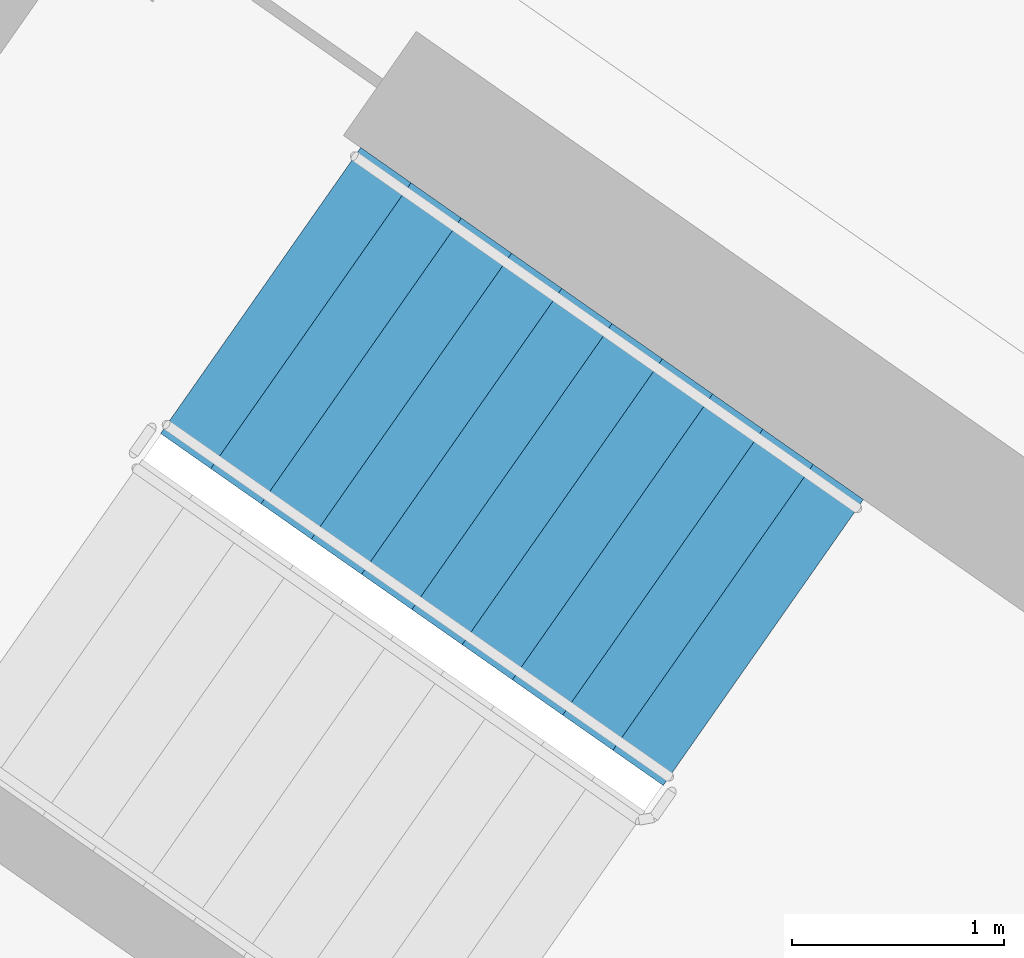
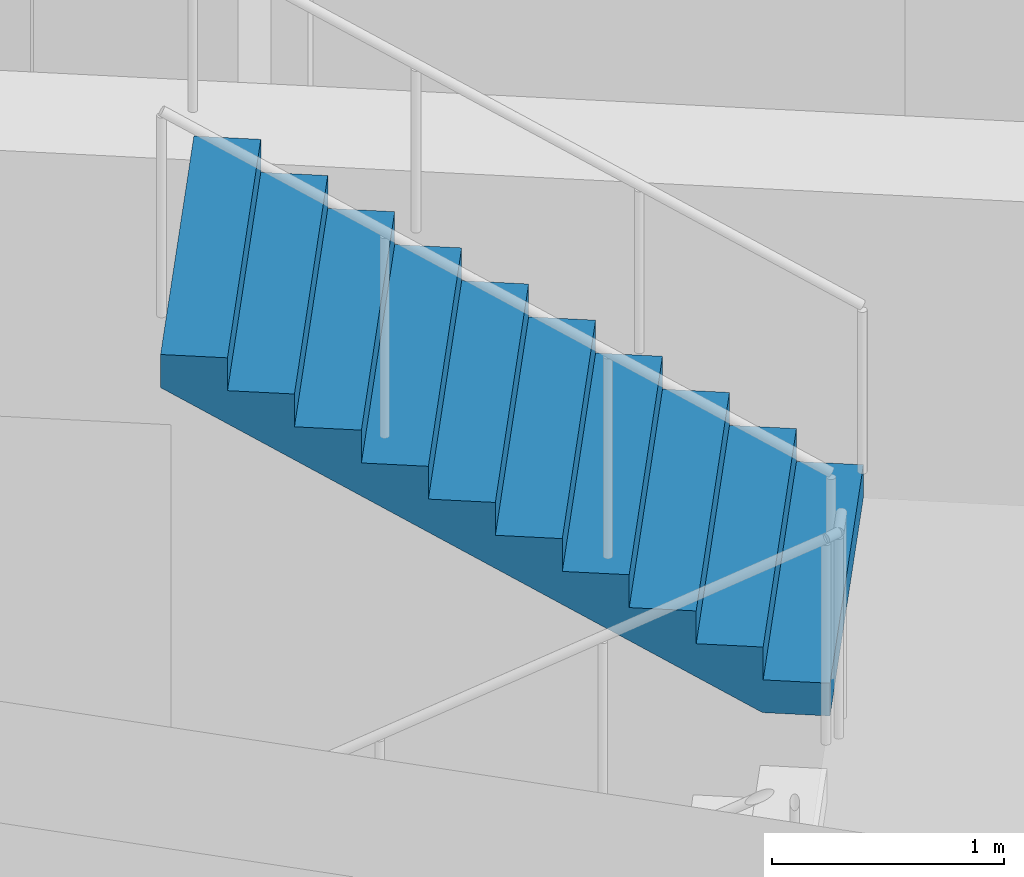
# One storey, part 13 of 28: 1 stair flight, 1 element without a shape of its own.
"""IFC4 building model written with IfcOpenShell, lengths in metres."""

from ifc_helpers import new_model, si_unit, direction, frame, origin, place, context, subcontext, project, spatial, faceted_brep, material, type_object, element, aggregate, save


model = new_model("IFC4")

# Units and contexts
model_context = context("Model", 3, precision=1e-05, world=origin(), true_north=direction((0.0, 1.0)))
body_context = subcontext(model_context, "Body", "Model", "MODEL_VIEW")
ifc_project = project(units=[si_unit("LENGTHUNIT", "METRE"), si_unit("AREAUNIT", "SQUARE_METRE"), si_unit("VOLUMEUNIT", "CUBIC_METRE"), si_unit("PLANEANGLEUNIT", "RADIAN"), si_unit("MASSUNIT", "GRAM", prefix="KILO")], contexts=[model_context])

# Site, building, storey
site_placement = place(None, origin())
site = spatial("IfcSite", under=ifc_project, at=site_placement, CompositionType="ELEMENT")
building_placement = place(site_placement, origin())
building = spatial("IfcBuilding", under=site, at=building_placement, Name="Qamariyya Broadcast Tower", CompositionType="ELEMENT")
storey_placement = place(building_placement, frame((0.0, 0.0, 277.10009765625)))
storey = spatial("IfcBuildingStorey", under=building, at=storey_placement, Name="L67", CompositionType="ELEMENT", Elevation=277.10009765625)

# Stair, stair flight
ifc_material = material(Name="Concrete C50/60", Category="concrete")
stair_type = type_object("IfcStairType", Name="Exit stair 22 risers of 173 mm", PredefinedType="HALF_TURN_STAIR", material=ifc_material)
stair_placement = place(storey_placement, origin())
stair = element("IfcStair", 1, at=stair_placement, inside=storey, type_object=stair_type, Name="L67 Stair W2", PredefinedType="HALF_TURN_STAIR")
stair_flight_type = type_object("IfcStairFlightType", Name="Exit stair flight 11 risers of 173 mm", PredefinedType="STRAIGHT", material=ifc_material)
stair_flight_placement = place(storey_placement, frame((-38.18310546875, -49.3486328125, 1.89990234375), z_axis=(0.0, 0.0, 1.0), x_axis=(-0.819152044289, 0.573576436351, 0.0)))
stair_flight = element("IfcStairFlight", 2, at=stair_flight_placement, type_object=stair_flight_type, Name="ST-W2 flight 2", NumberOfRisers=11, NumberOfTreads=10, PredefinedType="STRAIGHT", RiserHeight=0.172727273, TreadLength=0.29, context=body_context, shape_type="Brep", body=[
    faceted_brep([(0.0, 0.824951171875, 0.0), (0.0, 0.824951171875, 0.172607421875), (0.2900390625, 0.824951171875, 0.172607421875), (0.2900390625, 0.824951171875, 0.345458984375), (0.580078125, 0.824951171875, 0.345458984375), (0.580078125, 0.824951171875, 0.51806640625), (0.8701171875, 0.824951171875, 0.51806640625), (0.8701171875, 0.824951171875, 0.69091796875), (1.159912109375, 0.824951171875, 0.69091796875), (1.159912109375, 0.824951171875, 0.863525390625), (1.449951171875, 0.824951171875, 0.863525390625), (1.449951171875, 0.824951171875, 1.036376953125), (1.739990234375, 0.824951171875, 1.036376953125), (1.739990234375, 0.824951171875, 1.208984375), (2.030029296875, 0.824951171875, 1.208984375), (2.030029296875, 0.824951171875, 1.3818359375), (2.320068359375, 0.824951171875, 1.3818359375), (2.320068359375, 0.824951171875, 1.554443359375), (2.610107421875, 0.824951171875, 1.554443359375), (2.610107421875, 0.824951171875, 1.727294921875), (2.89990234375, 0.824951171875, 1.727294921875), (2.89990234375, 0.824951171875, 1.552734375), (0.29296875, 0.824951171875, 0.0), (0.29296875, -0.824951171875, 0.0), (2.89990234375, -0.824951171875, 1.552734375), (2.89990234375, -0.824951171875, 1.727294921875), (2.610107421875, -0.824951171875, 1.727294921875), (2.610107421875, -0.824951171875, 1.554443359375), (2.320068359375, -0.824951171875, 1.554443359375), (2.320068359375, -0.824951171875, 1.3818359375), (2.030029296875, -0.824951171875, 1.3818359375), (2.030029296875, -0.824951171875, 1.208984375), (1.739990234375, -0.824951171875, 1.208984375), (1.739990234375, -0.824951171875, 1.036376953125), (1.449951171875, -0.824951171875, 1.036376953125), (1.449951171875, -0.824951171875, 0.863525390625), (1.159912109375, -0.824951171875, 0.863525390625), (1.159912109375, -0.824951171875, 0.69091796875), (0.8701171875, -0.824951171875, 0.69091796875), (0.8701171875, -0.824951171875, 0.51806640625), (0.580078125, -0.824951171875, 0.51806640625), (0.580078125, -0.824951171875, 0.345458984375), (0.2900390625, -0.824951171875, 0.345458984375), (0.2900390625, -0.824951171875, 0.172607421875), (0.0, -0.824951171875, 0.172607421875), (0.0, -0.824951171875, 0.0), (0.0, 0.10009765625, 0.0), (0.0, 0.086669921875, 0.0), (0.0, 0.0732421875, 0.0), (0.0, 0.06005859375, 0.0), (0.0, 0.046630859375, 0.0), (0.0, 0.033447265625, 0.0), (0.0, 0.02001953125, 0.0), (0.0, 0.006591796875, 0.0), (0.0, -0.006591796875, 0.0), (0.0, -0.02001953125, 0.0), (0.0, -0.033447265625, 0.0), (0.0, -0.046630859375, 0.0), (0.0, -0.06005859375, 0.0), (0.0, -0.0732421875, 0.0), (0.0, -0.086669921875, 0.0), (0.0, -0.10009765625, 0.0), (0.0, -0.10009765625, 0.172607421875), (0.0, -0.086669921875, 0.172607421875), (0.0, -0.0732421875, 0.172607421875), (0.0, -0.06005859375, 0.172607421875), (0.0, -0.046630859375, 0.172607421875), (0.0, -0.033447265625, 0.172607421875), (0.0, -0.02001953125, 0.172607421875), (0.0, -0.006591796875, 0.172607421875), (0.0, 0.006591796875, 0.172607421875), (0.0, 0.02001953125, 0.172607421875), (0.0, 0.033447265625, 0.172607421875), (0.0, 0.046630859375, 0.172607421875), (0.0, 0.06005859375, 0.172607421875), (0.0, 0.0732421875, 0.172607421875), (0.0, 0.086669921875, 0.172607421875), (0.0, 0.10009765625, 0.172607421875), (0.2900390625, -0.10009765625, 0.172607421875), (0.2900390625, -0.086669921875, 0.172607421875), (0.2900390625, -0.0732421875, 0.172607421875), (0.2900390625, -0.06005859375, 0.172607421875), (0.2900390625, -0.046630859375, 0.172607421875), (0.2900390625, -0.033447265625, 0.172607421875), (0.2900390625, -0.02001953125, 0.172607421875), (0.2900390625, -0.006591796875, 0.172607421875), (0.2900390625, 0.006591796875, 0.172607421875), (0.2900390625, 0.02001953125, 0.172607421875), (0.2900390625, 0.033447265625, 0.172607421875), (0.2900390625, 0.046630859375, 0.172607421875), (0.2900390625, 0.06005859375, 0.172607421875), (0.2900390625, 0.0732421875, 0.172607421875), (0.2900390625, 0.086669921875, 0.172607421875), (0.2900390625, 0.10009765625, 0.172607421875), (0.2900390625, -0.10009765625, 0.345458984375), (0.2900390625, -0.086669921875, 0.345458984375), (0.2900390625, -0.0732421875, 0.345458984375), (0.2900390625, -0.06005859375, 0.345458984375), (0.2900390625, -0.046630859375, 0.345458984375), (0.2900390625, -0.033447265625, 0.345458984375), (0.2900390625, -0.02001953125, 0.345458984375), (0.2900390625, -0.006591796875, 0.345458984375), (0.2900390625, 0.006591796875, 0.345458984375), (0.2900390625, 0.02001953125, 0.345458984375), (0.2900390625, 0.033447265625, 0.345458984375), (0.2900390625, 0.046630859375, 0.345458984375), (0.2900390625, 0.06005859375, 0.345458984375), (0.2900390625, 0.0732421875, 0.345458984375), (0.2900390625, 0.086669921875, 0.345458984375), (0.2900390625, 0.10009765625, 0.345458984375), (0.580078125, -0.10009765625, 0.345458984375), (0.580078125, -0.086669921875, 0.345458984375), (0.580078125, -0.0732421875, 0.345458984375), (0.580078125, -0.06005859375, 0.345458984375), (0.580078125, -0.046630859375, 0.345458984375), (0.580078125, -0.033447265625, 0.345458984375), (0.580078125, -0.02001953125, 0.345458984375), (0.580078125, -0.006591796875, 0.345458984375), (0.580078125, 0.006591796875, 0.345458984375), (0.580078125, 0.02001953125, 0.345458984375), (0.580078125, 0.033447265625, 0.345458984375), (0.580078125, 0.046630859375, 0.345458984375), (0.580078125, 0.06005859375, 0.345458984375), (0.580078125, 0.0732421875, 0.345458984375), (0.580078125, 0.086669921875, 0.345458984375), (0.580078125, 0.10009765625, 0.345458984375), (0.580078125, -0.10009765625, 0.51806640625), (0.580078125, -0.086669921875, 0.51806640625), (0.580078125, -0.0732421875, 0.51806640625), (0.580078125, -0.06005859375, 0.51806640625), (0.580078125, -0.046630859375, 0.51806640625), (0.580078125, -0.033447265625, 0.51806640625), (0.580078125, -0.02001953125, 0.51806640625), (0.580078125, -0.006591796875, 0.51806640625), (0.580078125, 0.006591796875, 0.51806640625), (0.580078125, 0.02001953125, 0.51806640625), (0.580078125, 0.033447265625, 0.51806640625), (0.580078125, 0.046630859375, 0.51806640625), (0.580078125, 0.06005859375, 0.51806640625), (0.580078125, 0.0732421875, 0.51806640625), (0.580078125, 0.086669921875, 0.51806640625), (0.580078125, 0.10009765625, 0.51806640625), (0.8701171875, -0.10009765625, 0.51806640625), (0.8701171875, -0.086669921875, 0.51806640625), (0.8701171875, -0.0732421875, 0.51806640625), (0.8701171875, -0.06005859375, 0.51806640625), (0.8701171875, -0.046630859375, 0.51806640625), (0.8701171875, -0.033447265625, 0.51806640625), (0.8701171875, -0.02001953125, 0.51806640625), (0.8701171875, -0.006591796875, 0.51806640625), (0.8701171875, 0.006591796875, 0.51806640625), (0.8701171875, 0.02001953125, 0.51806640625), (0.8701171875, 0.033447265625, 0.51806640625), (0.8701171875, 0.046630859375, 0.51806640625), (0.8701171875, 0.06005859375, 0.51806640625), (0.8701171875, 0.0732421875, 0.51806640625), (0.8701171875, 0.086669921875, 0.51806640625), (0.8701171875, 0.10009765625, 0.51806640625), (0.8701171875, -0.10009765625, 0.69091796875), (0.8701171875, -0.086669921875, 0.69091796875), (0.8701171875, -0.0732421875, 0.69091796875), (0.8701171875, -0.06005859375, 0.69091796875), (0.8701171875, -0.046630859375, 0.69091796875), (0.8701171875, -0.033447265625, 0.69091796875), (0.8701171875, -0.02001953125, 0.69091796875), (0.8701171875, -0.006591796875, 0.69091796875), (0.8701171875, 0.006591796875, 0.69091796875), (0.8701171875, 0.02001953125, 0.69091796875), (0.8701171875, 0.033447265625, 0.69091796875), (0.8701171875, 0.046630859375, 0.69091796875), (0.8701171875, 0.06005859375, 0.69091796875), (0.8701171875, 0.0732421875, 0.69091796875), (0.8701171875, 0.086669921875, 0.69091796875), (0.8701171875, 0.10009765625, 0.69091796875), (1.159912109375, -0.10009765625, 0.69091796875), (1.159912109375, -0.086669921875, 0.69091796875), (1.159912109375, -0.0732421875, 0.69091796875), (1.159912109375, -0.06005859375, 0.69091796875), (1.159912109375, -0.046630859375, 0.69091796875), (1.159912109375, -0.033447265625, 0.69091796875), (1.159912109375, -0.02001953125, 0.69091796875), (1.159912109375, -0.006591796875, 0.69091796875), (1.159912109375, 0.006591796875, 0.69091796875), (1.159912109375, 0.02001953125, 0.69091796875), (1.159912109375, 0.033447265625, 0.69091796875), (1.159912109375, 0.046630859375, 0.69091796875), (1.159912109375, 0.06005859375, 0.69091796875), (1.159912109375, 0.0732421875, 0.69091796875), (1.159912109375, 0.086669921875, 0.69091796875), (1.159912109375, 0.10009765625, 0.69091796875), (1.159912109375, -0.10009765625, 0.863525390625), (1.159912109375, -0.086669921875, 0.863525390625), (1.159912109375, -0.0732421875, 0.863525390625), (1.159912109375, -0.06005859375, 0.863525390625), (1.159912109375, -0.046630859375, 0.863525390625), (1.159912109375, -0.033447265625, 0.863525390625), (1.159912109375, -0.02001953125, 0.863525390625), (1.159912109375, -0.006591796875, 0.863525390625), (1.159912109375, 0.006591796875, 0.863525390625), (1.159912109375, 0.02001953125, 0.863525390625), (1.159912109375, 0.033447265625, 0.863525390625), (1.159912109375, 0.046630859375, 0.863525390625), (1.159912109375, 0.06005859375, 0.863525390625), (1.159912109375, 0.0732421875, 0.863525390625), (1.159912109375, 0.086669921875, 0.863525390625), (1.159912109375, 0.10009765625, 0.863525390625), (1.449951171875, -0.10009765625, 0.863525390625), (1.449951171875, -0.086669921875, 0.863525390625), (1.449951171875, -0.0732421875, 0.863525390625), (1.449951171875, -0.06005859375, 0.863525390625), (1.449951171875, -0.046630859375, 0.863525390625), (1.449951171875, -0.033447265625, 0.863525390625), (1.449951171875, -0.02001953125, 0.863525390625), (1.449951171875, -0.006591796875, 0.863525390625), (1.449951171875, 0.006591796875, 0.863525390625), (1.449951171875, 0.02001953125, 0.863525390625), (1.449951171875, 0.033447265625, 0.863525390625), (1.449951171875, 0.046630859375, 0.863525390625), (1.449951171875, 0.06005859375, 0.863525390625), (1.449951171875, 0.0732421875, 0.863525390625), (1.449951171875, 0.086669921875, 0.863525390625), (1.449951171875, 0.10009765625, 0.863525390625), (1.449951171875, -0.10009765625, 1.036376953125), (1.449951171875, -0.086669921875, 1.036376953125), (1.449951171875, -0.0732421875, 1.036376953125), (1.449951171875, -0.06005859375, 1.036376953125), (1.449951171875, -0.046630859375, 1.036376953125), (1.449951171875, -0.033447265625, 1.036376953125), (1.449951171875, -0.02001953125, 1.036376953125), (1.449951171875, -0.006591796875, 1.036376953125), (1.449951171875, 0.006591796875, 1.036376953125), (1.449951171875, 0.02001953125, 1.036376953125), (1.449951171875, 0.033447265625, 1.036376953125), (1.449951171875, 0.046630859375, 1.036376953125), (1.449951171875, 0.06005859375, 1.036376953125), (1.449951171875, 0.0732421875, 1.036376953125), (1.449951171875, 0.086669921875, 1.036376953125), (1.449951171875, 0.10009765625, 1.036376953125), (1.739990234375, -0.10009765625, 1.036376953125), (1.739990234375, -0.086669921875, 1.036376953125), (1.739990234375, -0.0732421875, 1.036376953125), (1.739990234375, -0.06005859375, 1.036376953125), (1.739990234375, -0.046630859375, 1.036376953125), (1.739990234375, -0.033447265625, 1.036376953125), (1.739990234375, -0.02001953125, 1.036376953125), (1.739990234375, -0.006591796875, 1.036376953125), (1.739990234375, 0.006591796875, 1.036376953125), (1.739990234375, 0.02001953125, 1.036376953125), (1.739990234375, 0.033447265625, 1.036376953125), (1.739990234375, 0.046630859375, 1.036376953125), (1.739990234375, 0.06005859375, 1.036376953125), (1.739990234375, 0.0732421875, 1.036376953125), (1.739990234375, 0.086669921875, 1.036376953125), (1.739990234375, 0.10009765625, 1.036376953125), (1.739990234375, -0.10009765625, 1.208984375), (1.739990234375, -0.086669921875, 1.208984375), (1.739990234375, -0.0732421875, 1.208984375), (1.739990234375, -0.06005859375, 1.208984375), (1.739990234375, -0.046630859375, 1.208984375), (1.739990234375, -0.033447265625, 1.208984375), (1.739990234375, -0.02001953125, 1.208984375), (1.739990234375, -0.006591796875, 1.208984375), (1.739990234375, 0.006591796875, 1.208984375), (1.739990234375, 0.02001953125, 1.208984375), (1.739990234375, 0.033447265625, 1.208984375), (1.739990234375, 0.046630859375, 1.208984375), (1.739990234375, 0.06005859375, 1.208984375), (1.739990234375, 0.0732421875, 1.208984375), (1.739990234375, 0.086669921875, 1.208984375), (1.739990234375, 0.10009765625, 1.208984375), (2.030029296875, -0.10009765625, 1.208984375), (2.030029296875, -0.086669921875, 1.208984375), (2.030029296875, -0.0732421875, 1.208984375), (2.030029296875, -0.06005859375, 1.208984375), (2.030029296875, -0.046630859375, 1.208984375), (2.030029296875, -0.033447265625, 1.208984375), (2.030029296875, -0.02001953125, 1.208984375), (2.030029296875, -0.006591796875, 1.208984375), (2.030029296875, 0.006591796875, 1.208984375), (2.030029296875, 0.02001953125, 1.208984375), (2.030029296875, 0.033447265625, 1.208984375), (2.030029296875, 0.046630859375, 1.208984375), (2.030029296875, 0.06005859375, 1.208984375), (2.030029296875, 0.0732421875, 1.208984375), (2.030029296875, 0.086669921875, 1.208984375), (2.030029296875, 0.10009765625, 1.208984375), (2.030029296875, -0.10009765625, 1.3818359375), (2.030029296875, -0.086669921875, 1.3818359375), (2.030029296875, -0.0732421875, 1.3818359375), (2.030029296875, -0.06005859375, 1.3818359375), (2.030029296875, -0.046630859375, 1.3818359375), (2.030029296875, -0.033447265625, 1.3818359375), (2.030029296875, -0.02001953125, 1.3818359375), (2.030029296875, -0.006591796875, 1.3818359375), (2.030029296875, 0.006591796875, 1.3818359375), (2.030029296875, 0.02001953125, 1.3818359375), (2.030029296875, 0.033447265625, 1.3818359375), (2.030029296875, 0.046630859375, 1.3818359375), (2.030029296875, 0.06005859375, 1.3818359375), (2.030029296875, 0.0732421875, 1.3818359375), (2.030029296875, 0.086669921875, 1.3818359375), (2.030029296875, 0.10009765625, 1.3818359375), (2.320068359375, -0.10009765625, 1.3818359375), (2.320068359375, -0.086669921875, 1.3818359375), (2.320068359375, -0.0732421875, 1.3818359375), (2.320068359375, -0.06005859375, 1.3818359375), (2.320068359375, -0.046630859375, 1.3818359375), (2.320068359375, -0.033447265625, 1.3818359375), (2.320068359375, -0.02001953125, 1.3818359375), (2.320068359375, -0.006591796875, 1.3818359375), (2.320068359375, 0.006591796875, 1.3818359375), (2.320068359375, 0.02001953125, 1.3818359375), (2.320068359375, 0.033447265625, 1.3818359375), (2.320068359375, 0.046630859375, 1.3818359375), (2.320068359375, 0.06005859375, 1.3818359375), (2.320068359375, 0.0732421875, 1.3818359375), (2.320068359375, 0.086669921875, 1.3818359375), (2.320068359375, 0.10009765625, 1.3818359375), (2.320068359375, -0.10009765625, 1.554443359375), (2.320068359375, -0.086669921875, 1.554443359375), (2.320068359375, -0.0732421875, 1.554443359375), (2.320068359375, -0.06005859375, 1.554443359375), (2.320068359375, -0.046630859375, 1.554443359375), (2.320068359375, -0.033447265625, 1.554443359375), (2.320068359375, -0.02001953125, 1.554443359375), (2.320068359375, -0.006591796875, 1.554443359375), (2.320068359375, 0.006591796875, 1.554443359375), (2.320068359375, 0.02001953125, 1.554443359375), (2.320068359375, 0.033447265625, 1.554443359375), (2.320068359375, 0.046630859375, 1.554443359375), (2.320068359375, 0.06005859375, 1.554443359375), (2.320068359375, 0.0732421875, 1.554443359375), (2.320068359375, 0.086669921875, 1.554443359375), (2.320068359375, 0.10009765625, 1.554443359375), (2.610107421875, -0.10009765625, 1.554443359375), (2.610107421875, -0.086669921875, 1.554443359375), (2.610107421875, -0.0732421875, 1.554443359375), (2.610107421875, -0.06005859375, 1.554443359375), (2.610107421875, -0.046630859375, 1.554443359375), (2.610107421875, -0.033447265625, 1.554443359375), (2.610107421875, -0.02001953125, 1.554443359375), (2.610107421875, -0.006591796875, 1.554443359375), (2.610107421875, 0.006591796875, 1.554443359375), (2.610107421875, 0.02001953125, 1.554443359375), (2.610107421875, 0.033447265625, 1.554443359375), (2.610107421875, 0.046630859375, 1.554443359375), (2.610107421875, 0.06005859375, 1.554443359375), (2.610107421875, 0.0732421875, 1.554443359375), (2.610107421875, 0.086669921875, 1.554443359375), (2.610107421875, 0.10009765625, 1.554443359375), (2.610107421875, -0.10009765625, 1.727294921875), (2.610107421875, -0.086669921875, 1.727294921875), (2.610107421875, -0.0732421875, 1.727294921875), (2.610107421875, -0.06005859375, 1.727294921875), (2.610107421875, -0.046630859375, 1.727294921875), (2.610107421875, -0.033447265625, 1.727294921875), (2.610107421875, -0.02001953125, 1.727294921875), (2.610107421875, -0.006591796875, 1.727294921875), (2.610107421875, 0.006591796875, 1.727294921875), (2.610107421875, 0.02001953125, 1.727294921875), (2.610107421875, 0.033447265625, 1.727294921875), (2.610107421875, 0.046630859375, 1.727294921875), (2.610107421875, 0.06005859375, 1.727294921875), (2.610107421875, 0.0732421875, 1.727294921875), (2.610107421875, 0.086669921875, 1.727294921875), (2.610107421875, 0.10009765625, 1.727294921875), (2.89990234375, -0.10009765625, 1.727294921875), (2.89990234375, -0.086669921875, 1.727294921875), (2.89990234375, -0.0732421875, 1.727294921875), (2.89990234375, -0.06005859375, 1.727294921875), (2.89990234375, -0.046630859375, 1.727294921875), (2.89990234375, -0.033447265625, 1.727294921875), (2.89990234375, -0.02001953125, 1.727294921875), (2.89990234375, -0.006591796875, 1.727294921875), (2.89990234375, 0.006591796875, 1.727294921875), (2.89990234375, 0.02001953125, 1.727294921875), (2.89990234375, 0.033447265625, 1.727294921875), (2.89990234375, 0.046630859375, 1.727294921875), (2.89990234375, 0.06005859375, 1.727294921875), (2.89990234375, 0.0732421875, 1.727294921875), (2.89990234375, 0.086669921875, 1.727294921875), (2.89990234375, 0.10009765625, 1.727294921875), (2.89990234375, -0.10009765625, 1.552734375), (2.89990234375, -0.086669921875, 1.552734375), (2.89990234375, -0.0732421875, 1.552734375), (2.89990234375, -0.06005859375, 1.552734375), (2.89990234375, -0.046630859375, 1.552734375), (2.89990234375, -0.033447265625, 1.552734375), (2.89990234375, -0.02001953125, 1.552734375), (2.89990234375, -0.006591796875, 1.552734375), (2.89990234375, 0.006591796875, 1.552734375), (2.89990234375, 0.02001953125, 1.552734375), (2.89990234375, 0.033447265625, 1.552734375), (2.89990234375, 0.046630859375, 1.552734375), (2.89990234375, 0.06005859375, 1.552734375), (2.89990234375, 0.0732421875, 1.552734375), (2.89990234375, 0.086669921875, 1.552734375), (2.89990234375, 0.10009765625, 1.552734375), (0.29296875, -0.10009765625, 0.0), (0.29296875, -0.086669921875, 0.0), (0.29296875, -0.0732421875, 0.0), (0.29296875, -0.06005859375, 0.0), (0.29296875, -0.046630859375, 0.0), (0.29296875, -0.033447265625, 0.0), (0.29296875, -0.02001953125, 0.0), (0.29296875, -0.006591796875, 0.0), (0.29296875, 0.006591796875, 0.0), (0.29296875, 0.02001953125, 0.0), (0.29296875, 0.033447265625, 0.0), (0.29296875, 0.046630859375, 0.0), (0.29296875, 0.06005859375, 0.0), (0.29296875, 0.0732421875, 0.0), (0.29296875, 0.086669921875, 0.0), (0.29296875, 0.10009765625, 0.0)], [[[0, 1, 2, 3, 4, 5, 6, 7, 8, 9, 10, 11, 12, 13, 14, 15, 16, 17, 18, 19, 20, 21, 22]], [[23, 24, 25, 26, 27, 28, 29, 30, 31, 32, 33, 34, 35, 36, 37, 38, 39, 40, 41, 42, 43, 44, 45]], [[0, 46, 47, 48, 49, 50, 51, 52, 53, 54, 55, 56, 57, 58, 59, 60, 61, 45, 44, 62, 63, 64, 65, 66, 67, 68, 69, 70, 71, 72, 73, 74, 75, 76, 77, 1]], [[1, 77, 76, 75, 74, 73, 72, 71, 70, 69, 68, 67, 66, 65, 64, 63, 62, 44, 43, 78, 79, 80, 81, 82, 83, 84, 85, 86, 87, 88, 89, 90, 91, 92, 93, 2]], [[2, 93, 92, 91, 90, 89, 88, 87, 86, 85, 84, 83, 82, 81, 80, 79, 78, 43, 42, 94, 95, 96, 97, 98, 99, 100, 101, 102, 103, 104, 105, 106, 107, 108, 109, 3]], [[3, 109, 108, 107, 106, 105, 104, 103, 102, 101, 100, 99, 98, 97, 96, 95, 94, 42, 41, 110, 111, 112, 113, 114, 115, 116, 117, 118, 119, 120, 121, 122, 123, 124, 125, 4]], [[4, 125, 124, 123, 122, 121, 120, 119, 118, 117, 116, 115, 114, 113, 112, 111, 110, 41, 40, 126, 127, 128, 129, 130, 131, 132, 133, 134, 135, 136, 137, 138, 139, 140, 141, 5]], [[5, 141, 140, 139, 138, 137, 136, 135, 134, 133, 132, 131, 130, 129, 128, 127, 126, 40, 39, 142, 143, 144, 145, 146, 147, 148, 149, 150, 151, 152, 153, 154, 155, 156, 157, 6]], [[6, 157, 156, 155, 154, 153, 152, 151, 150, 149, 148, 147, 146, 145, 144, 143, 142, 39, 38, 158, 159, 160, 161, 162, 163, 164, 165, 166, 167, 168, 169, 170, 171, 172, 173, 7]], [[7, 173, 172, 171, 170, 169, 168, 167, 166, 165, 164, 163, 162, 161, 160, 159, 158, 38, 37, 174, 175, 176, 177, 178, 179, 180, 181, 182, 183, 184, 185, 186, 187, 188, 189, 8]], [[8, 189, 188, 187, 186, 185, 184, 183, 182, 181, 180, 179, 178, 177, 176, 175, 174, 37, 36, 190, 191, 192, 193, 194, 195, 196, 197, 198, 199, 200, 201, 202, 203, 204, 205, 9]], [[9, 205, 204, 203, 202, 201, 200, 199, 198, 197, 196, 195, 194, 193, 192, 191, 190, 36, 35, 206, 207, 208, 209, 210, 211, 212, 213, 214, 215, 216, 217, 218, 219, 220, 221, 10]], [[10, 221, 220, 219, 218, 217, 216, 215, 214, 213, 212, 211, 210, 209, 208, 207, 206, 35, 34, 222, 223, 224, 225, 226, 227, 228, 229, 230, 231, 232, 233, 234, 235, 236, 237, 11]], [[11, 237, 236, 235, 234, 233, 232, 231, 230, 229, 228, 227, 226, 225, 224, 223, 222, 34, 33, 238, 239, 240, 241, 242, 243, 244, 245, 246, 247, 248, 249, 250, 251, 252, 253, 12]], [[12, 253, 252, 251, 250, 249, 248, 247, 246, 245, 244, 243, 242, 241, 240, 239, 238, 33, 32, 254, 255, 256, 257, 258, 259, 260, 261, 262, 263, 264, 265, 266, 267, 268, 269, 13]], [[13, 269, 268, 267, 266, 265, 264, 263, 262, 261, 260, 259, 258, 257, 256, 255, 254, 32, 31, 270, 271, 272, 273, 274, 275, 276, 277, 278, 279, 280, 281, 282, 283, 284, 285, 14]], [[14, 285, 284, 283, 282, 281, 280, 279, 278, 277, 276, 275, 274, 273, 272, 271, 270, 31, 30, 286, 287, 288, 289, 290, 291, 292, 293, 294, 295, 296, 297, 298, 299, 300, 301, 15]], [[15, 301, 300, 299, 298, 297, 296, 295, 294, 293, 292, 291, 290, 289, 288, 287, 286, 30, 29, 302, 303, 304, 305, 306, 307, 308, 309, 310, 311, 312, 313, 314, 315, 316, 317, 16]], [[16, 317, 316, 315, 314, 313, 312, 311, 310, 309, 308, 307, 306, 305, 304, 303, 302, 29, 28, 318, 319, 320, 321, 322, 323, 324, 325, 326, 327, 328, 329, 330, 331, 332, 333, 17]], [[17, 333, 332, 331, 330, 329, 328, 327, 326, 325, 324, 323, 322, 321, 320, 319, 318, 28, 27, 334, 335, 336, 337, 338, 339, 340, 341, 342, 343, 344, 345, 346, 347, 348, 349, 18]], [[18, 349, 348, 347, 346, 345, 344, 343, 342, 341, 340, 339, 338, 337, 336, 335, 334, 27, 26, 350, 351, 352, 353, 354, 355, 356, 357, 358, 359, 360, 361, 362, 363, 364, 365, 19]], [[19, 365, 364, 363, 362, 361, 360, 359, 358, 357, 356, 355, 354, 353, 352, 351, 350, 26, 25, 366, 367, 368, 369, 370, 371, 372, 373, 374, 375, 376, 377, 378, 379, 380, 381, 20]], [[20, 381, 380, 379, 378, 377, 376, 375, 374, 373, 372, 371, 370, 369, 368, 367, 366, 25, 24, 382, 383, 384, 385, 386, 387, 388, 389, 390, 391, 392, 393, 394, 395, 396, 397, 21]], [[21, 397, 396, 395, 394, 393, 392, 391, 390, 389, 388, 387, 386, 385, 384, 383, 382, 24, 23, 398, 399, 400, 401, 402, 403, 404, 405, 406, 407, 408, 409, 410, 411, 412, 413, 22]], [[22, 413, 412, 411, 410, 409, 408, 407, 406, 405, 404, 403, 402, 401, 400, 399, 398, 23, 45, 61, 60, 59, 58, 57, 56, 55, 54, 53, 52, 51, 50, 49, 48, 47, 46, 0]]]),
])
aggregate(stair, [stair_flight])

save(model, "model.ifc")
